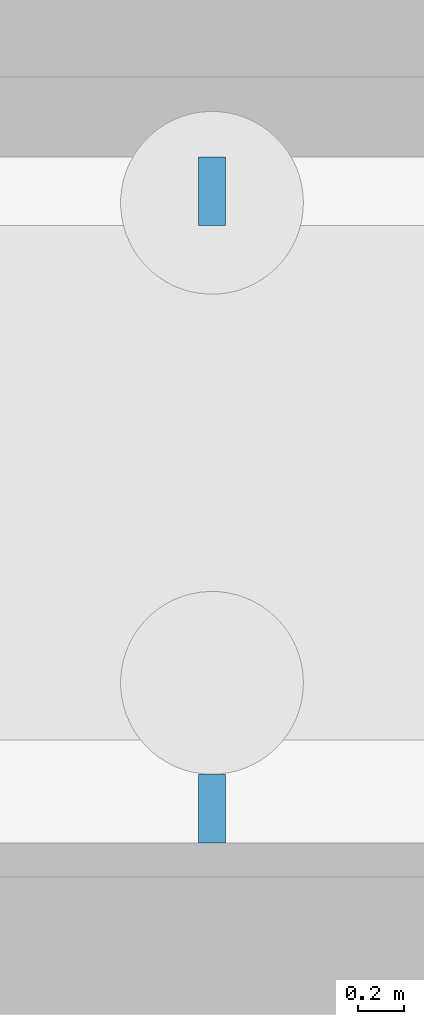
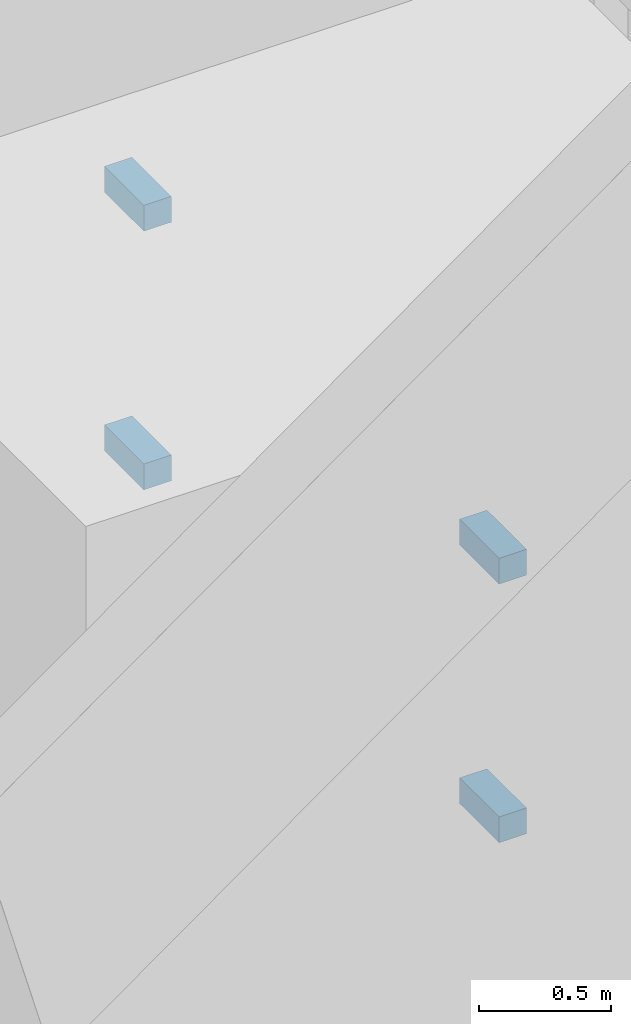
# One storey, part 16 of 33: 4 discrete accessories.
"""IFC4 building model written with IfcOpenShell, lengths in metres."""

from ifc_helpers import new_model, si_unit, direction, frame, origin, origin_2d, place, context, subcontext, project, spatial, rectangle, extrude, element, save


model = new_model("IFC4")

# Units and contexts
model_context = context("Model", 3, precision=1e-05, world=origin(), true_north=direction((0.0, 1.0)))
body_context = subcontext(model_context, "Body", "Model", "MODEL_VIEW")
ifc_project = project(units=[si_unit("LENGTHUNIT", "METRE"), si_unit("AREAUNIT", "SQUARE_METRE"), si_unit("VOLUMEUNIT", "CUBIC_METRE"), si_unit("PLANEANGLEUNIT", "RADIAN"), si_unit("MASSUNIT", "GRAM", prefix="KILO")], contexts=[model_context])

# Site, building, storey
site_placement = place(None, origin())
site = spatial("IfcSite", under=ifc_project, at=site_placement, CompositionType="ELEMENT")
building_placement = place(site_placement, origin())
building = spatial("IfcBuilding", under=site, at=building_placement, Name="Nzadi Deep Aquarium and Research Tower", CompositionType="ELEMENT")
storey_placement = place(building_placement, frame((0.0, 0.0, -5.5)))
storey = spatial("IfcBuildingStorey", under=building, at=storey_placement, Name="B1", CompositionType="ELEMENT", Elevation=-5.5)

# Discrete accessories
for number, where, z_axis, x_axis, name in (
    (1, (2.85009765625, 0.699951171875, 0.5400390625), (0.0, 0.0, 1.0), (1.0, 0.0, 0.0), "Guide rail bracket GL1"),
    (2, (2.85009765625, 0.699951171875, 1.739990234375), (0.0, 0.0, 1.0), (1.0, 0.0, 0.0), "Guide rail bracket GL1"),
    (3, (2.85009765625, 3.39990234375, 0.5400390625), (0.0, 0.0, 1.0), (1.0, 0.0, 0.0), "Guide rail bracket GL1"),
    (4, (2.85009765625, 3.39990234375, 1.739990234375), (0.0, 0.0, 1.0), (1.0, 0.0, 0.0), "Guide rail bracket GL1"),
):
    element("IfcDiscreteAccessory", number, at=place(storey_placement, frame(where, z_axis=z_axis, x_axis=x_axis)), inside=storey, Name=name, PredefinedType="BRACKET", context=body_context, shape_type="SweptSolid", body=[
        extrude(rectangle(XDim=0.1201171875, YDim=0.300048828125, at=origin_2d()), origin(), (0.0, 0.0, 1.0), 0.1201171875),
    ])

save(model, "model.ifc")
